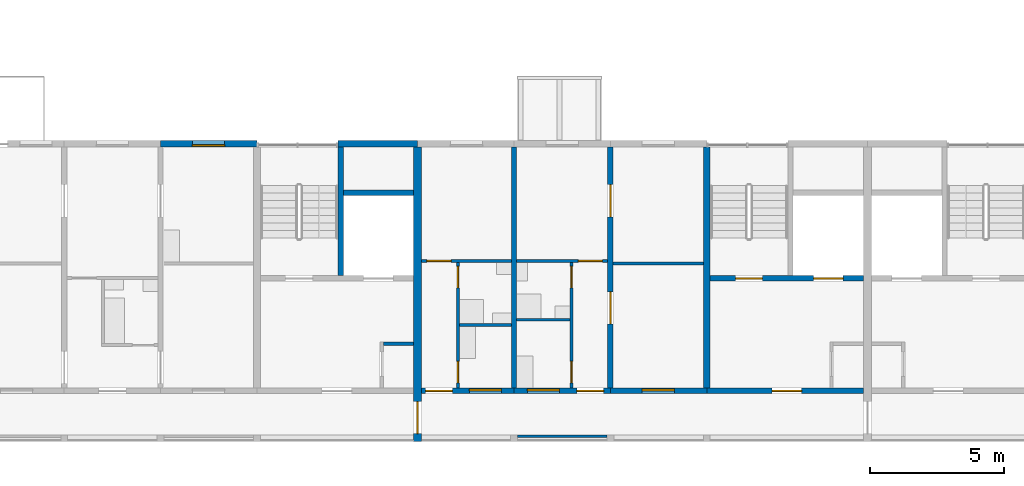
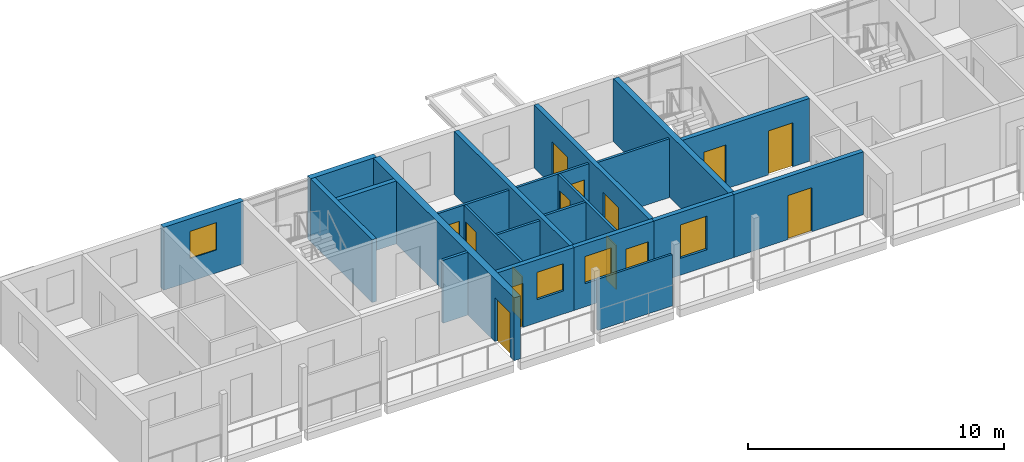
# One storey, part 34 of 94: 22 walls, 14 doors, 4 windows, 18 openings.
"""IFC4 building model written with IfcOpenShell, lengths in metres."""

from ifc_helpers import new_model, si_unit, direction, frame, frame_2d, origin, place, context, subcontext, project, spatial, rectangle, extrude, material, layer, layer_set, type_object, element, fill, save


model = new_model("IFC4")

# Units and contexts
model_context = context("Model", 3, precision=1e-05, world=origin(), true_north=direction((0.0, 1.0)))
body_context = subcontext(model_context, "Body", "Model", "MODEL_VIEW")
ifc_project = project(units=[si_unit("LENGTHUNIT", "METRE"), si_unit("AREAUNIT", "SQUARE_METRE"), si_unit("VOLUMEUNIT", "CUBIC_METRE"), si_unit("PLANEANGLEUNIT", "RADIAN"), si_unit("MASSUNIT", "GRAM", prefix="KILO")], contexts=[model_context])

# Site, building, storey
site_placement = place(None, origin())
site = spatial("IfcSite", under=ifc_project, at=site_placement, CompositionType="ELEMENT")
building_placement = place(site_placement, origin())
building = spatial("IfcBuilding", under=site, at=building_placement, Name="Ridgestep Commons", CompositionType="ELEMENT")
storey_placement = place(building_placement, frame((0.0, 0.0, 24.0)))
storey = spatial("IfcBuildingStorey", under=building, at=storey_placement, Name="L08", CompositionType="ELEMENT", Elevation=24.0)

# Wall
ifc_material_1 = material(Name="Concrete C30/37", Category="concrete")
ifc_layer_1 = layer(ifc_material_1, 0.25)
ifc_layer_set_1 = layer_set([ifc_layer_1], Name="Core cross wall 250")
wall_type_1 = type_object("IfcWallType", Name="Core cross wall 250", PredefinedType="SHEAR", material=ifc_layer_set_1)
wall_1_placement = place(storey_placement, frame((39.60009765625, 13.75, 0.0), z_axis=(0.0, 0.0, 1.0), x_axis=(0.0, 1.0, 0.0)))
element("IfcWall", 1, at=wall_1_placement, inside=storey, type_object=wall_type_1, Name="Cross wall A-08-0396", PredefinedType="SHEAR", context=body_context, shape_type="SweptSolid", body=[
    extrude(rectangle(XDim=9.0, YDim=0.25, at=frame_2d((4.5, 0.0))), origin(), (0.0, 0.0, 1.0), 3.0),
])

# Wall, opening, door
ifc_material_2 = material(Name="Concrete C30/37", Category="concrete")
ifc_layer_2 = layer(ifc_material_2, 0.199951171875)
ifc_layer_set_2 = layer_set([ifc_layer_2], Name="Core south wall 200")
wall_type_2 = type_object("IfcWallType", Name="Core south wall 200", PredefinedType="SHEAR", material=ifc_layer_set_2)
wall_2_placement = place(storey_placement, frame((39.60009765625, 13.64990234375, 0.0), z_axis=(0.0, 0.0, 1.0), x_axis=(1.0, 0.0, 0.0)))
wall_2 = element("IfcWall", 2, at=wall_2_placement, inside=storey, type_object=wall_type_2, Name="Core south wall A2C L08", PredefinedType="SHEAR", context=body_context, shape_type="SweptSolid", body=[
    extrude(rectangle(XDim=5.849853515625, YDim=0.199951171875, at=frame_2d((2.9248046875, 0.0))), origin(), (0.0, 0.0, 1.0), 3.0),
])
opening_1_placement = place(wall_2_placement, frame((2.4375, 0.0, 0.0)))
opening_1 = element("IfcOpeningElement", 3, at=opening_1_placement, cuts=wall_2, Name="Opening A2C/08/1", PredefinedType="OPENING", context=body_context, shape_type="SweptSolid", body=[
    extrude(rectangle(XDim=1.10009765625, YDim=2.10009765625, at=frame_2d((0.550048828125, 1.050048828125))), frame((0.0, 0.10986328125, 0.0), z_axis=(0.0, -1.0, 0.0), x_axis=(1.0, 0.0, 0.0)), (0.0, 0.0, 1.0), 0.219970703125),
])
ifc_material_3 = material(Name="Steel fire door", Category="steel")
door_type_1 = type_object("IfcDoorType", Name="Lobby door 1100 x 2100 FD60", OperationType="NOTDEFINED", PredefinedType="DOOR", material=ifc_material_3)
door_1_placement = place(opening_1_placement, origin())
door_1 = element("IfcDoor", 4, at=door_1_placement, inside=storey, type_object=door_type_1, Name="Lobby door A2C/08/1", OperationType="SINGLE_SWING_LEFT", OverallHeight=2.10009765625, OverallWidth=1.10009765625, PredefinedType="DOOR", context=body_context, shape_type="SweptSolid", body=[
    extrude(rectangle(XDim=1.10009765625, YDim=2.10009765625, at=frame_2d((0.550048828125, 1.050048828125))), frame((0.0, 0.02490234375, 0.0), z_axis=(0.0, -1.0, 0.0), x_axis=(1.0, 0.0, 0.0)), (0.0, 0.0, 1.0), 0.050048828125),
])
fill(opening_1, door_1)

# Walls
ifc_material_4 = material(Name="Concrete C30/37", Category="concrete")
ifc_layer_3 = layer(ifc_material_4, 0.1201171875)
ifc_layer_set_3 = layer_set([ifc_layer_3], Name="Core wall 120")
wall_type_3 = type_object("IfcWallType", Name="Core wall 120", PredefinedType="SHEAR", material=ifc_layer_set_3)
wall_3_placement = place(storey_placement, frame((27.52001953125, 15.409912109375, 0.0), z_axis=(0.0, 0.0, 1.0), x_axis=(1.0, 0.0, 0.0)))
element("IfcWall", 5, at=wall_3_placement, inside=storey, type_object=wall_type_3, Name="Core riser n wall A1C L08", PredefinedType="SHEAR", context=body_context, shape_type="SweptSolid", body=[
    extrude(rectangle(XDim=1.1298828125, YDim=0.1201171875, at=frame_2d((0.56494140625, 0.0))), origin(), (0.0, 0.0, 1.0), 3.0),
])
ifc_material_5 = material(Name="Concrete C30/37", Category="concrete")
ifc_layer_4 = layer(ifc_material_5, 0.199951171875)
ifc_layer_set_4 = layer_set([ifc_layer_4], Name="Core wall 200")
wall_type_4 = type_object("IfcWallType", Name="Core wall 200", PredefinedType="SHEAR", material=ifc_layer_set_4)
wall_4_placement = place(storey_placement, frame((25.925048828125, 17.949951171875, 0.0), z_axis=(0.0, 0.0, 1.0), x_axis=(0.0, 1.0, 0.0)))
element("IfcWall", 6, at=wall_4_placement, inside=storey, type_object=wall_type_4, Name="Core stair wall A1C L08", PredefinedType="SHEAR", context=body_context, shape_type="SweptSolid", body=[
    extrude(rectangle(XDim=4.800048828125, YDim=0.199951171875, at=frame_2d((2.39990234375, 0.0))), origin(), (0.0, 0.0, 1.0), 3.0),
])
wall_5_placement = place(storey_placement, frame((26.02490234375, 21.050048828125, 0.0), z_axis=(0.0, 0.0, 1.0), x_axis=(1.0, 0.0, 0.0)))
element("IfcWall", 7, at=wall_5_placement, inside=storey, type_object=wall_type_4, Name="Core duct wall A1C L08", PredefinedType="SHEAR", context=body_context, shape_type="SweptSolid", body=[
    extrude(rectangle(XDim=2.625, YDim=0.199951171875, at=frame_2d((1.3125, 0.0))), origin(), (0.0, 0.0, 1.0), 3.0),
])

# Wall, openings, doors
wall_6_placement = place(storey_placement, frame((39.72509765625, 17.85009765625, 0.0), z_axis=(0.0, 0.0, 1.0), x_axis=(1.0, 0.0, 0.0)))
wall_6 = element("IfcWall", 8, at=wall_6_placement, inside=storey, type_object=wall_type_4, Name="Core lobby wall A2C L08", PredefinedType="SHEAR", context=body_context, shape_type="SweptSolid", body=[
    extrude(rectangle(XDim=5.724853515625, YDim=0.199951171875, at=frame_2d((2.8623046875, 0.0))), origin(), (0.0, 0.0, 1.0), 3.0),
])
opening_2_placement = place(wall_6_placement, frame((0.949951171875, 0.0, 0.0)))
opening_2 = element("IfcOpeningElement", 9, at=opening_2_placement, cuts=wall_6, Name="Opening A2C/08/2", PredefinedType="OPENING", context=body_context, shape_type="SweptSolid", body=[
    extrude(rectangle(XDim=1.0, YDim=2.10009765625, at=frame_2d((0.5, 1.050048828125))), frame((0.0, 0.10986328125, 0.0), z_axis=(0.0, -1.0, 0.0), x_axis=(1.0, 0.0, 0.0)), (0.0, 0.0, 1.0), 0.219970703125),
])
opening_3_placement = place(wall_6_placement, frame((3.862548828125, 0.0, 0.0)))
opening_3 = element("IfcOpeningElement", 10, at=opening_3_placement, cuts=wall_6, Name="Opening A2C/08/3", PredefinedType="OPENING", context=body_context, shape_type="SweptSolid", body=[
    extrude(rectangle(XDim=1.10009765625, YDim=2.10009765625, at=frame_2d((0.550048828125, 1.050048828125))), frame((0.0, 0.10986328125, 0.0), z_axis=(0.0, -1.0, 0.0), x_axis=(1.0, 0.0, 0.0)), (0.0, 0.0, 1.0), 0.219970703125),
])
ifc_material_6 = material(Name="Stainless steel", Category="steel")
door_type_2 = type_object("IfcDoorType", Name="Lift landing door 1100 x 2100 FD60", OperationType="DOUBLE_DOOR_SLIDING", PredefinedType="DOOR", material=ifc_material_6)
door_2_placement = place(opening_3_placement, origin())
door_2 = element("IfcDoor", 11, at=door_2_placement, inside=storey, type_object=door_type_2, Name="Landing door LD A2C L08", OperationType="DOUBLE_DOOR_SLIDING", OverallHeight=2.10009765625, OverallWidth=1.10009765625, PredefinedType="DOOR", context=body_context, shape_type="SweptSolid", body=[
    extrude(rectangle(XDim=1.10009765625, YDim=2.10009765625, at=frame_2d((0.550048828125, 1.050048828125))), frame((0.0, 0.02490234375, 0.0), z_axis=(0.0, -1.0, 0.0), x_axis=(1.0, 0.0, 0.0)), (0.0, 0.0, 1.0), 0.050048828125),
])
fill(opening_3, door_2)
ifc_material_7 = material(Name="Steel fire door", Category="steel")
door_type_3 = type_object("IfcDoorType", Name="Stair door 1000 x 2100 FD60", OperationType="NOTDEFINED", PredefinedType="DOOR", material=ifc_material_7)
door_3_placement = place(opening_2_placement, origin())
door_3 = element("IfcDoor", 12, at=door_3_placement, inside=storey, type_object=door_type_3, Name="Stair door A2C/08/2", OperationType="SINGLE_SWING_RIGHT", OverallHeight=2.10009765625, OverallWidth=1.0, PredefinedType="DOOR", context=body_context, shape_type="SweptSolid", body=[
    extrude(rectangle(XDim=1.0, YDim=2.10009765625, at=frame_2d((0.5, 1.050048828125))), frame((0.0, 0.02490234375, 0.0), z_axis=(0.0, -1.0, 0.0), x_axis=(1.0, 0.0, 0.0)), (0.0, 0.0, 1.0), 0.050048828125),
])
fill(opening_2, door_3)

# Wall
ifc_material_8 = material(Name="Precast concrete C40/50", Category="concrete")
ifc_layer_5 = layer(ifc_material_8, 0.199951171875)
ifc_layer_set_5 = layer_set([ifc_layer_5], Name="Cross wall 200")
wall_type_5 = type_object("IfcWallType", Name="Cross wall 200", PredefinedType="SHEAR", material=ifc_layer_set_5)
wall_7_placement = place(storey_placement, frame((32.39990234375, 13.75, 0.0), z_axis=(0.0, 0.0, 1.0), x_axis=(0.0, 1.0, 0.0)))
element("IfcWall", 13, at=wall_7_placement, inside=storey, type_object=wall_type_5, Name="Cross wall A-08-0324", PredefinedType="SHEAR", context=body_context, shape_type="SweptSolid", body=[
    extrude(rectangle(XDim=9.0, YDim=0.199951171875, at=frame_2d((4.5, 0.0))), origin(), (0.0, 0.0, 1.0), 3.0),
])

# Wall, openings, doors
wall_8_placement = place(storey_placement, frame((36.0, 13.75, 0.0), z_axis=(0.0, 0.0, 1.0), x_axis=(0.0, 1.0, 0.0)))
wall_8 = element("IfcWall", 14, at=wall_8_placement, inside=storey, type_object=wall_type_5, Name="Cross wall A-08-0360", PredefinedType="SHEAR", context=body_context, shape_type="SweptSolid", body=[
    extrude(rectangle(XDim=9.0, YDim=0.199951171875, at=frame_2d((4.5, 0.0))), origin(), (0.0, 0.0, 1.0), 3.0),
])
opening_4_placement = place(wall_8_placement, frame((2.39990234375, 0.0, 0.0)))
opening_4 = element("IfcOpeningElement", 15, at=opening_4_placement, cuts=wall_8, Name="Opening A2-08b/5", PredefinedType="OPENING", context=body_context, shape_type="SweptSolid", body=[
    extrude(rectangle(XDim=1.199951171875, YDim=2.10009765625, at=frame_2d((0.60009765625, 1.050048828125))), frame((0.0, 0.10986328125, 0.0), z_axis=(0.0, -1.0, 0.0), x_axis=(1.0, 0.0, 0.0)), (0.0, 0.0, 1.0), 0.219970703125),
])
opening_5_placement = place(wall_8_placement, frame((6.39990234375, 0.0, 0.0)))
opening_5 = element("IfcOpeningElement", 16, at=opening_5_placement, cuts=wall_8, Name="Opening A2-08b/6", PredefinedType="OPENING", context=body_context, shape_type="SweptSolid", body=[
    extrude(rectangle(XDim=1.199951171875, YDim=2.10009765625, at=frame_2d((0.60009765625, 1.050048828125))), frame((0.0, 0.10986328125, 0.0), z_axis=(0.0, -1.0, 0.0), x_axis=(1.0, 0.0, 0.0)), (0.0, 0.0, 1.0), 0.219970703125),
])
ifc_material_9 = material(Name="Timber door leaf", Category="wood")
door_type_4 = type_object("IfcDoorType", Name="Double door 1200 x 2100", OperationType="DOUBLE_DOOR_SINGLE_SWING", PredefinedType="DOOR", material=ifc_material_9)
door_4_placement = place(opening_4_placement, origin())
door_4 = element("IfcDoor", 17, at=door_4_placement, inside=storey, type_object=door_type_4, Name="Double door A2-08b/5", OperationType="DOUBLE_DOOR_SINGLE_SWING", OverallHeight=2.10009765625, OverallWidth=1.199951171875, PredefinedType="DOOR", context=body_context, shape_type="SweptSolid", body=[
    extrude(rectangle(XDim=1.199951171875, YDim=2.10009765625, at=frame_2d((0.60009765625, 1.050048828125))), frame((0.0, 0.02490234375, 0.0), z_axis=(0.0, -1.0, 0.0), x_axis=(1.0, 0.0, 0.0)), (0.0, 0.0, 1.0), 0.050048828125),
])
fill(opening_4, door_4)
door_5_placement = place(opening_5_placement, origin())
door_5 = element("IfcDoor", 18, at=door_5_placement, inside=storey, type_object=door_type_4, Name="Double door A2-08b/6", OperationType="DOUBLE_DOOR_SINGLE_SWING", OverallHeight=2.10009765625, OverallWidth=1.199951171875, PredefinedType="DOOR", context=body_context, shape_type="SweptSolid", body=[
    extrude(rectangle(XDim=1.199951171875, YDim=2.10009765625, at=frame_2d((0.60009765625, 1.050048828125))), frame((0.0, 0.02490234375, 0.0), z_axis=(0.0, -1.0, 0.0), x_axis=(1.0, 0.0, 0.0)), (0.0, 0.0, 1.0), 0.050048828125),
])
fill(opening_5, door_5)

# Wall, opening, door
ifc_material_10 = material(Name="Precast concrete C40/50", Category="concrete")
ifc_layer_6 = layer(ifc_material_10, 0.300048828125)
ifc_layer_set_6 = layer_set([ifc_layer_6], Name="Division wall 300")
wall_type_6 = type_object("IfcWallType", Name="Division wall 300", PredefinedType="SHEAR", material=ifc_layer_set_6)
wall_9_placement = place(storey_placement, frame((28.800048828125, 11.75, 0.0), z_axis=(0.0, 0.0, 1.0), x_axis=(0.0, 1.0, 0.0)))
wall_9 = element("IfcWall", 19, at=wall_9_placement, inside=storey, type_object=wall_type_6, Name="Cross wall A-08-0288", PredefinedType="SHEAR", context=body_context, shape_type="SweptSolid", body=[
    extrude(rectangle(XDim=11.0, YDim=0.300048828125, at=frame_2d((5.5, 0.0))), origin(), (0.0, 0.0, 1.0), 3.0),
])
opening_6_placement = place(wall_9_placement, frame((0.300048828125, 0.0, 0.0)))
opening_6 = element("IfcOpeningElement", 20, at=opening_6_placement, cuts=wall_9, Name="Opening A/08/G0288", PredefinedType="OPENING", context=body_context, shape_type="SweptSolid", body=[
    extrude(rectangle(XDim=1.199951171875, YDim=2.10009765625, at=frame_2d((0.60009765625, 1.050048828125))), frame((0.0, 0.159912109375, 0.0), z_axis=(0.0, -1.0, 0.0), x_axis=(1.0, 0.0, 0.0)), (0.0, 0.0, 1.0), 0.320068359375),
])
ifc_material_11 = material(Name="Steel fire door", Category="steel")
door_type_5 = type_object("IfcDoorType", Name="Division fire door 1200 x 2100 EI 240", OperationType="DOUBLE_DOOR_SINGLE_SWING", PredefinedType="DOOR", material=ifc_material_11)
door_6_placement = place(opening_6_placement, origin())
door_6 = element("IfcDoor", 21, at=door_6_placement, inside=storey, type_object=door_type_5, Name="Division fire door A/08/G0288", OperationType="DOUBLE_DOOR_SINGLE_SWING", OverallHeight=2.10009765625, OverallWidth=1.199951171875, PredefinedType="DOOR", context=body_context, shape_type="SweptSolid", body=[
    extrude(rectangle(XDim=1.199951171875, YDim=2.10009765625, at=frame_2d((0.60009765625, 1.050048828125))), frame((0.0, 0.02490234375, 0.0), z_axis=(0.0, -1.0, 0.0), x_axis=(1.0, 0.0, 0.0)), (0.0, 0.0, 1.0), 0.050048828125),
])
fill(opening_6, door_6)

# Wall, opening, window
ifc_material_12 = material(Name="Precast concrete C40/50", Category="concrete")
ifc_layer_7 = layer(ifc_material_12, 0.25)
ifc_layer_set_7 = layer_set([ifc_layer_7], Name="North facade panel 250")
wall_type_7 = type_object("IfcWallType", Name="North facade panel 250", PredefinedType="SOLIDWALL", material=ifc_layer_set_7)
wall_10_placement = place(storey_placement, frame((19.199951171875, 22.875, 0.0), z_axis=(0.0, 0.0, 1.0), x_axis=(1.0, 0.0, 0.0)))
wall_10 = element("IfcWall", 22, at=wall_10_placement, inside=storey, type_object=wall_type_7, Name="North panel A1T3 L08", PredefinedType="SOLIDWALL", context=body_context, shape_type="SweptSolid", body=[
    extrude(rectangle(XDim=3.60009765625, YDim=0.25, at=frame_2d((1.800048828125, 0.0))), origin(), (0.0, 0.0, 1.0), 3.0),
])
opening_7_placement = place(wall_10_placement, frame((1.1875, 0.0, 1.10009765625)))
opening_7 = element("IfcOpeningElement", 23, at=opening_7_placement, cuts=wall_10, Name="Opening W08", PredefinedType="OPENING", context=body_context, shape_type="SweptSolid", body=[
    extrude(rectangle(XDim=1.199951171875, YDim=1.300048828125, at=frame_2d((0.60009765625, 0.64990234375))), frame((0.0, 0.135009765625, 0.0), z_axis=(0.0, -1.0, 0.0), x_axis=(1.0, 0.0, 0.0)), (0.0, 0.0, 1.0), 0.27001953125),
])
ifc_material_13 = material(Name="Aluminium 6063-T6 and glass", Category="aluminium")
window_type_1 = type_object("IfcWindowType", Name="Flat window 1200 x 1300", PartitioningType="SINGLE_PANEL", PredefinedType="WINDOW", material=ifc_material_13)
window_1_placement = place(opening_7_placement, origin())
window_1 = element("IfcWindow", 24, at=window_1_placement, inside=storey, type_object=window_type_1, Name="Window A1-08a 4", OverallHeight=1.300048828125, OverallWidth=1.199951171875, PartitioningType="SINGLE_PANEL", PredefinedType="WINDOW", context=body_context, shape_type="SweptSolid", body=[
    extrude(rectangle(XDim=1.199951171875, YDim=1.300048828125, at=frame_2d((0.60009765625, 0.64990234375))), frame((0.0, -0.02490234375, 0.0), z_axis=(0.0, -1.0, 0.0), x_axis=(1.0, 0.0, 0.0)), (0.0, 0.0, 1.0), 0.06005859375),
])
fill(opening_7, window_1)

# Wall
wall_11_placement = place(storey_placement, frame((25.824951171875, 22.875, 0.0), z_axis=(0.0, 0.0, 1.0), x_axis=(1.0, 0.0, 0.0)))
element("IfcWall", 25, at=wall_11_placement, inside=storey, type_object=wall_type_7, Name="North panel A1C L08", PredefinedType="SOLIDWALL", context=body_context, shape_type="SweptSolid", body=[
    extrude(rectangle(XDim=2.97509765625, YDim=0.25, at=frame_2d((1.487548828125, 0.0))), origin(), (0.0, 0.0, 1.0), 3.0),
])

# Wall, openings, doors
ifc_material_14 = material(Name="Common brick 110 mm", Category="masonry")
ifc_layer_8 = layer(ifc_material_14, 0.110107421875)
ifc_layer_set_8 = layer_set([ifc_layer_8], Name="Partition 110")
wall_type_8 = type_object("IfcWallType", Name="Partition 110", PredefinedType="PARTITIONING", material=ifc_layer_set_8)
wall_12_placement = place(storey_placement, frame((30.304931640625, 13.75, 0.0), z_axis=(0.0, 0.0, 1.0), x_axis=(0.0, 1.0, 0.0)))
wall_12 = element("IfcWall", 26, at=wall_12_placement, inside=storey, type_object=wall_type_8, Name="Partition A2-08a", PredefinedType="PARTITIONING", context=body_context, shape_type="SweptSolid", body=[
    extrude(rectangle(XDim=4.699951171875, YDim=0.110107421875, at=frame_2d((2.35009765625, 0.0))), origin(), (0.0, 0.0, 1.0), 2.800048828125),
])
opening_8_placement = place(wall_12_placement, frame((0.199951171875, 0.0, 0.0)))
opening_8 = element("IfcOpeningElement", 27, at=opening_8_placement, cuts=wall_12, Name="Opening A2-08a/2", PredefinedType="OPENING", context=body_context, shape_type="SweptSolid", body=[
    extrude(rectangle(XDim=0.800048828125, YDim=2.10009765625, at=frame_2d((0.39990234375, 1.050048828125))), frame((0.0, 0.06494140625, 0.0), z_axis=(0.0, -1.0, 0.0), x_axis=(1.0, 0.0, 0.0)), (0.0, 0.0, 1.0), 0.130126953125),
])
opening_9_placement = place(wall_12_placement, frame((3.75, 0.0, 0.0)))
opening_9 = element("IfcOpeningElement", 28, at=opening_9_placement, cuts=wall_12, Name="Opening A2-08a/3", PredefinedType="OPENING", context=body_context, shape_type="SweptSolid", body=[
    extrude(rectangle(XDim=0.800048828125, YDim=2.10009765625, at=frame_2d((0.39990234375, 1.050048828125))), frame((0.0, 0.06494140625, 0.0), z_axis=(0.0, -1.0, 0.0), x_axis=(1.0, 0.0, 0.0)), (0.0, 0.0, 1.0), 0.130126953125),
])
ifc_material_15 = material(Name="Timber door leaf", Category="wood")
door_type_6 = type_object("IfcDoorType", Name="Internal door 800 x 2100", OperationType="NOTDEFINED", PredefinedType="DOOR", material=ifc_material_15)
door_7_placement = place(opening_8_placement, origin())
door_7 = element("IfcDoor", 29, at=door_7_placement, inside=storey, type_object=door_type_6, Name="Internal door A2-08a/2", OperationType="SINGLE_SWING_RIGHT", OverallHeight=2.10009765625, OverallWidth=0.800048828125, PredefinedType="DOOR", context=body_context, shape_type="SweptSolid", body=[
    extrude(rectangle(XDim=0.800048828125, YDim=2.10009765625, at=frame_2d((0.39990234375, 1.050048828125))), frame((0.0, 0.02490234375, 0.0), z_axis=(0.0, -1.0, 0.0), x_axis=(1.0, 0.0, 0.0)), (0.0, 0.0, 1.0), 0.050048828125),
])
fill(opening_8, door_7)
door_8_placement = place(opening_9_placement, origin())
door_8 = element("IfcDoor", 30, at=door_8_placement, inside=storey, type_object=door_type_6, Name="Internal door A2-08a/3", OperationType="SINGLE_SWING_LEFT", OverallHeight=2.10009765625, OverallWidth=0.800048828125, PredefinedType="DOOR", context=body_context, shape_type="SweptSolid", body=[
    extrude(rectangle(XDim=0.800048828125, YDim=2.10009765625, at=frame_2d((0.39990234375, 1.050048828125))), frame((0.0, 0.02490234375, 0.0), z_axis=(0.0, -1.0, 0.0), x_axis=(1.0, 0.0, 0.0)), (0.0, 0.0, 1.0), 0.050048828125),
])
fill(opening_9, door_8)

# Wall
wall_13_placement = place(storey_placement, frame((30.360107421875, 16.10498046875, 0.0), z_axis=(0.0, 0.0, 1.0), x_axis=(1.0, 0.0, 0.0)))
element("IfcWall", 31, at=wall_13_placement, inside=storey, type_object=wall_type_8, Name="Partition A2-08a", PredefinedType="PARTITIONING", context=body_context, shape_type="SweptSolid", body=[
    extrude(rectangle(XDim=1.93994140625, YDim=0.110107421875, at=frame_2d((0.969970703125, 0.0))), origin(), (0.0, 0.0, 1.0), 2.800048828125),
])

# Wall, opening, door
wall_14_placement = place(storey_placement, frame((28.949951171875, 18.5048828125, 0.0), z_axis=(0.0, 0.0, 1.0), x_axis=(1.0, 0.0, 0.0)))
wall_14 = element("IfcWall", 32, at=wall_14_placement, inside=storey, type_object=wall_type_8, Name="Partition A2-08a", PredefinedType="PARTITIONING", context=body_context, shape_type="SweptSolid", body=[
    extrude(rectangle(XDim=3.35009765625, YDim=0.110107421875, at=frame_2d((1.675048828125, 0.0))), origin(), (0.0, 0.0, 1.0), 2.800048828125),
])
opening_10_placement = place(wall_14_placement, frame((0.199951171875, 0.0, 0.0)))
opening_10 = element("IfcOpeningElement", 33, at=opening_10_placement, cuts=wall_14, Name="Opening A2-08a/4", PredefinedType="OPENING", context=body_context, shape_type="SweptSolid", body=[
    extrude(rectangle(XDim=0.89990234375, YDim=2.10009765625, at=frame_2d((0.449951171875, 1.050048828125))), frame((0.0, 0.06494140625, 0.0), z_axis=(0.0, -1.0, 0.0), x_axis=(1.0, 0.0, 0.0)), (0.0, 0.0, 1.0), 0.130126953125),
])
ifc_material_16 = material(Name="Timber door leaf", Category="wood")
door_type_7 = type_object("IfcDoorType", Name="Internal door 900 x 2100", OperationType="NOTDEFINED", PredefinedType="DOOR", material=ifc_material_16)
door_9_placement = place(opening_10_placement, origin())
door_9 = element("IfcDoor", 34, at=door_9_placement, inside=storey, type_object=door_type_7, Name="Internal door A2-08a/4", OperationType="SINGLE_SWING_RIGHT", OverallHeight=2.10009765625, OverallWidth=0.89990234375, PredefinedType="DOOR", context=body_context, shape_type="SweptSolid", body=[
    extrude(rectangle(XDim=0.89990234375, YDim=2.10009765625, at=frame_2d((0.449951171875, 1.050048828125))), frame((0.0, 0.02490234375, 0.0), z_axis=(0.0, -1.0, 0.0), x_axis=(1.0, 0.0, 0.0)), (0.0, 0.0, 1.0), 0.050048828125),
])
fill(opening_10, door_9)

# Wall
wall_15_placement = place(storey_placement, frame((32.5, 16.304931640625, 0.0), z_axis=(0.0, 0.0, 1.0), x_axis=(1.0, 0.0, 0.0)))
element("IfcWall", 35, at=wall_15_placement, inside=storey, type_object=wall_type_8, Name="Partition A2-08b", PredefinedType="PARTITIONING", context=body_context, shape_type="SweptSolid", body=[
    extrude(rectangle(XDim=1.989990234375, YDim=0.110107421875, at=frame_2d((0.9951171875, 0.0))), origin(), (0.0, 0.0, 1.0), 2.800048828125),
])

# Wall, openings, doors
wall_16_placement = place(storey_placement, frame((34.544921875, 13.75, 0.0), z_axis=(0.0, 0.0, 1.0), x_axis=(0.0, 1.0, 0.0)))
wall_16 = element("IfcWall", 36, at=wall_16_placement, inside=storey, type_object=wall_type_8, Name="Partition A2-08b", PredefinedType="PARTITIONING", context=body_context, shape_type="SweptSolid", body=[
    extrude(rectangle(XDim=4.699951171875, YDim=0.110107421875, at=frame_2d((2.35009765625, 0.0))), origin(), (0.0, 0.0, 1.0), 2.800048828125),
])
opening_11_placement = place(wall_16_placement, frame((0.199951171875, 0.0, 0.0)))
opening_11 = element("IfcOpeningElement", 37, at=opening_11_placement, cuts=wall_16, Name="Opening A2-08b/2", PredefinedType="OPENING", context=body_context, shape_type="SweptSolid", body=[
    extrude(rectangle(XDim=0.800048828125, YDim=2.10009765625, at=frame_2d((0.39990234375, 1.050048828125))), frame((0.0, 0.06494140625, 0.0), z_axis=(0.0, -1.0, 0.0), x_axis=(1.0, 0.0, 0.0)), (0.0, 0.0, 1.0), 0.130126953125),
])
opening_12_placement = place(wall_16_placement, frame((3.75, 0.0, 0.0)))
opening_12 = element("IfcOpeningElement", 38, at=opening_12_placement, cuts=wall_16, Name="Opening A2-08b/3", PredefinedType="OPENING", context=body_context, shape_type="SweptSolid", body=[
    extrude(rectangle(XDim=0.800048828125, YDim=2.10009765625, at=frame_2d((0.39990234375, 1.050048828125))), frame((0.0, 0.06494140625, 0.0), z_axis=(0.0, -1.0, 0.0), x_axis=(1.0, 0.0, 0.0)), (0.0, 0.0, 1.0), 0.130126953125),
])
door_10_placement = place(opening_11_placement, origin())
door_10 = element("IfcDoor", 39, at=door_10_placement, inside=storey, type_object=door_type_6, Name="Internal door A2-08b/2", OperationType="SINGLE_SWING_LEFT", OverallHeight=2.10009765625, OverallWidth=0.800048828125, PredefinedType="DOOR", context=body_context, shape_type="SweptSolid", body=[
    extrude(rectangle(XDim=0.800048828125, YDim=2.10009765625, at=frame_2d((0.39990234375, 1.050048828125))), frame((0.0, 0.02490234375, 0.0), z_axis=(0.0, -1.0, 0.0), x_axis=(1.0, 0.0, 0.0)), (0.0, 0.0, 1.0), 0.050048828125),
])
fill(opening_11, door_10)
door_11_placement = place(opening_12_placement, origin())
door_11 = element("IfcDoor", 40, at=door_11_placement, inside=storey, type_object=door_type_6, Name="Internal door A2-08b/3", OperationType="SINGLE_SWING_RIGHT", OverallHeight=2.10009765625, OverallWidth=0.800048828125, PredefinedType="DOOR", context=body_context, shape_type="SweptSolid", body=[
    extrude(rectangle(XDim=0.800048828125, YDim=2.10009765625, at=frame_2d((0.39990234375, 1.050048828125))), frame((0.0, 0.02490234375, 0.0), z_axis=(0.0, -1.0, 0.0), x_axis=(1.0, 0.0, 0.0)), (0.0, 0.0, 1.0), 0.050048828125),
])
fill(opening_12, door_11)

# Wall, opening, door
wall_17_placement = place(storey_placement, frame((32.5, 18.5048828125, 0.0), z_axis=(0.0, 0.0, 1.0), x_axis=(1.0, 0.0, 0.0)))
wall_17 = element("IfcWall", 41, at=wall_17_placement, inside=storey, type_object=wall_type_8, Name="Partition A2-08b", PredefinedType="PARTITIONING", context=body_context, shape_type="SweptSolid", body=[
    extrude(rectangle(XDim=3.39990234375, YDim=0.110107421875, at=frame_2d((1.699951171875, 0.0))), origin(), (0.0, 0.0, 1.0), 2.800048828125),
])
opening_13_placement = place(wall_17_placement, frame((2.300048828125, 0.0, 0.0)))
opening_13 = element("IfcOpeningElement", 42, at=opening_13_placement, cuts=wall_17, Name="Opening A2-08b/4", PredefinedType="OPENING", context=body_context, shape_type="SweptSolid", body=[
    extrude(rectangle(XDim=0.89990234375, YDim=2.10009765625, at=frame_2d((0.449951171875, 1.050048828125))), frame((0.0, 0.06494140625, 0.0), z_axis=(0.0, -1.0, 0.0), x_axis=(1.0, 0.0, 0.0)), (0.0, 0.0, 1.0), 0.130126953125),
])
door_12_placement = place(opening_13_placement, origin())
door_12 = element("IfcDoor", 43, at=door_12_placement, inside=storey, type_object=door_type_7, Name="Internal door A2-08b/4", OperationType="SINGLE_SWING_LEFT", OverallHeight=2.10009765625, OverallWidth=0.89990234375, PredefinedType="DOOR", context=body_context, shape_type="SweptSolid", body=[
    extrude(rectangle(XDim=0.89990234375, YDim=2.10009765625, at=frame_2d((0.449951171875, 1.050048828125))), frame((0.0, 0.02490234375, 0.0), z_axis=(0.0, -1.0, 0.0), x_axis=(1.0, 0.0, 0.0)), (0.0, 0.0, 1.0), 0.050048828125),
])
fill(opening_13, door_12)

# Walls
wall_18_placement = place(storey_placement, frame((36.10009765625, 18.405029296875, 0.0), z_axis=(0.0, 0.0, 1.0), x_axis=(1.0, 0.0, 0.0)))
element("IfcWall", 44, at=wall_18_placement, inside=storey, type_object=wall_type_8, Name="Partition A2-08b", PredefinedType="PARTITIONING", context=body_context, shape_type="SweptSolid", body=[
    extrude(rectangle(XDim=3.375, YDim=0.110107421875, at=frame_2d((1.6875, 0.0))), origin(), (0.0, 0.0, 1.0), 2.800048828125),
])
ifc_material_17 = material(Name="Precast concrete C30/37", Category="concrete")
ifc_layer_9 = layer(ifc_material_17, 0.10009765625)
ifc_layer_set_9 = layer_set([ifc_layer_9], Name="Perforated gallery screen 3350 x 2450 x 100")
wall_type_9 = type_object("IfcWallType", Name="Perforated gallery screen 3350 x 2450 x 100", PredefinedType="SOLIDWALL", material=ifc_layer_set_9)
wall_19_placement = place(storey_placement, frame((32.52490234375, 11.949951171875, 0.0), z_axis=(0.0, 0.0, 1.0), x_axis=(1.0, 0.0, 0.0)))
element("IfcWall", 45, at=wall_19_placement, inside=storey, type_object=wall_type_9, Name="Gallery screen A2T2 08", PredefinedType="SOLIDWALL", context=body_context, shape_type="SweptSolid", body=[
    extrude(rectangle(XDim=3.35009765625, YDim=0.10009765625, at=frame_2d((1.675048828125, 0.0))), origin(), (0.0, 0.0, 1.0), 2.449951171875),
])

# Wall, openings, door, window
ifc_material_18 = material(Name="Precast concrete C40/50", Category="concrete")
ifc_layer_10 = layer(ifc_material_18, 0.199951171875)
ifc_layer_set_10 = layer_set([ifc_layer_10], Name="South facade panel 200")
wall_type_10 = type_object("IfcWallType", Name="South facade panel 200", PredefinedType="SOLIDWALL", material=ifc_layer_set_10)
wall_20_placement = place(storey_placement, frame((28.949951171875, 13.64990234375, 0.0), z_axis=(0.0, 0.0, 1.0), x_axis=(1.0, 0.0, 0.0)))
wall_20 = element("IfcWall", 46, at=wall_20_placement, inside=storey, type_object=wall_type_10, Name="South panel A2T1 L08", PredefinedType="SOLIDWALL", context=body_context, shape_type="SweptSolid", body=[
    extrude(rectangle(XDim=3.449951171875, YDim=0.199951171875, at=frame_2d((1.72509765625, 0.0))), origin(), (0.0, 0.0, 1.0), 3.0),
])
opening_14_placement = place(wall_20_placement, frame((1.780029296875, 0.0, 1.10009765625)))
opening_14 = element("IfcOpeningElement", 47, at=opening_14_placement, cuts=wall_20, Name="Opening W08", PredefinedType="OPENING", context=body_context, shape_type="SweptSolid", body=[
    extrude(rectangle(XDim=1.199951171875, YDim=1.300048828125, at=frame_2d((0.60009765625, 0.64990234375))), frame((0.0, 0.10986328125, 0.0), z_axis=(0.0, -1.0, 0.0), x_axis=(1.0, 0.0, 0.0)), (0.0, 0.0, 1.0), 0.219970703125),
])
opening_15_placement = place(wall_20_placement, frame((0.14990234375, 0.0, 0.0)))
opening_15 = element("IfcOpeningElement", 48, at=opening_15_placement, cuts=wall_20, Name="Opening A2-08a/1", PredefinedType="OPENING", context=body_context, shape_type="SweptSolid", body=[
    extrude(rectangle(XDim=1.0, YDim=2.10009765625, at=frame_2d((0.5, 1.050048828125))), frame((0.0, 0.10986328125, 0.0), z_axis=(0.0, -1.0, 0.0), x_axis=(1.0, 0.0, 0.0)), (0.0, 0.0, 1.0), 0.219970703125),
])
ifc_material_19 = material(Name="Timber door leaf", Category="wood")
door_type_8 = type_object("IfcDoorType", Name="Flat entrance door 1000 x 2100 FD30S", OperationType="NOTDEFINED", PredefinedType="DOOR", material=ifc_material_19)
door_13_placement = place(opening_15_placement, origin())
door_13 = element("IfcDoor", 49, at=door_13_placement, inside=storey, type_object=door_type_8, Name="Flat entrance door A2-08a/1", OperationType="SINGLE_SWING_LEFT", OverallHeight=2.10009765625, OverallWidth=1.0, PredefinedType="DOOR", context=body_context, shape_type="SweptSolid", body=[
    extrude(rectangle(XDim=1.0, YDim=2.10009765625, at=frame_2d((0.5, 1.050048828125))), frame((0.0, 0.02490234375, 0.0), z_axis=(0.0, -1.0, 0.0), x_axis=(1.0, 0.0, 0.0)), (0.0, 0.0, 1.0), 0.050048828125),
])
fill(opening_15, door_13)
window_2_placement = place(opening_14_placement, origin())
window_2 = element("IfcWindow", 50, at=window_2_placement, inside=storey, type_object=window_type_1, Name="Window A2-08a 1", OverallHeight=1.300048828125, OverallWidth=1.199951171875, PartitioningType="SINGLE_PANEL", PredefinedType="WINDOW", context=body_context, shape_type="SweptSolid", body=[
    extrude(rectangle(XDim=1.199951171875, YDim=1.300048828125, at=frame_2d((0.60009765625, 0.64990234375))), frame((0.0, 0.06005859375, 0.0), z_axis=(0.0, -1.0, 0.0), x_axis=(1.0, 0.0, 0.0)), (0.0, 0.0, 1.0), 0.06005859375),
])
fill(opening_14, window_2)

wall_21_placement = place(storey_placement, frame((32.39990234375, 13.64990234375, 0.0), z_axis=(0.0, 0.0, 1.0), x_axis=(1.0, 0.0, 0.0)))
wall_21 = element("IfcWall", 51, at=wall_21_placement, inside=storey, type_object=wall_type_10, Name="South panel A2T2 L08", PredefinedType="SOLIDWALL", context=body_context, shape_type="SweptSolid", body=[
    extrude(rectangle(XDim=3.60009765625, YDim=0.199951171875, at=frame_2d((1.800048828125, 0.0))), origin(), (0.0, 0.0, 1.0), 3.0),
])
opening_16_placement = place(wall_21_placement, frame((0.4951171875, 0.0, 1.10009765625)))
opening_16 = element("IfcOpeningElement", 52, at=opening_16_placement, cuts=wall_21, Name="Opening W08", PredefinedType="OPENING", context=body_context, shape_type="SweptSolid", body=[
    extrude(rectangle(XDim=1.199951171875, YDim=1.300048828125, at=frame_2d((0.60009765625, 0.64990234375))), frame((0.0, 0.10986328125, 0.0), z_axis=(0.0, -1.0, 0.0), x_axis=(1.0, 0.0, 0.0)), (0.0, 0.0, 1.0), 0.219970703125),
])
opening_17_placement = place(wall_21_placement, frame((2.35009765625, 0.0, 0.0)))
opening_17 = element("IfcOpeningElement", 53, at=opening_17_placement, cuts=wall_21, Name="Opening A2-08b/1", PredefinedType="OPENING", context=body_context, shape_type="SweptSolid", body=[
    extrude(rectangle(XDim=1.0, YDim=2.10009765625, at=frame_2d((0.5, 1.050048828125))), frame((0.0, 0.10986328125, 0.0), z_axis=(0.0, -1.0, 0.0), x_axis=(1.0, 0.0, 0.0)), (0.0, 0.0, 1.0), 0.219970703125),
])
door_14_placement = place(opening_17_placement, origin())
door_14 = element("IfcDoor", 54, at=door_14_placement, inside=storey, type_object=door_type_8, Name="Flat entrance door A2-08b/1", OperationType="SINGLE_SWING_RIGHT", OverallHeight=2.10009765625, OverallWidth=1.0, PredefinedType="DOOR", context=body_context, shape_type="SweptSolid", body=[
    extrude(rectangle(XDim=1.0, YDim=2.10009765625, at=frame_2d((0.5, 1.050048828125))), frame((0.0, 0.02490234375, 0.0), z_axis=(0.0, -1.0, 0.0), x_axis=(1.0, 0.0, 0.0)), (0.0, 0.0, 1.0), 0.050048828125),
])
fill(opening_17, door_14)
window_3_placement = place(opening_16_placement, origin())
window_3 = element("IfcWindow", 55, at=window_3_placement, inside=storey, type_object=window_type_1, Name="Window A2-08b 3", OverallHeight=1.300048828125, OverallWidth=1.199951171875, PartitioningType="SINGLE_PANEL", PredefinedType="WINDOW", context=body_context, shape_type="SweptSolid", body=[
    extrude(rectangle(XDim=1.199951171875, YDim=1.300048828125, at=frame_2d((0.60009765625, 0.64990234375))), frame((0.0, 0.06005859375, 0.0), z_axis=(0.0, -1.0, 0.0), x_axis=(1.0, 0.0, 0.0)), (0.0, 0.0, 1.0), 0.06005859375),
])
fill(opening_16, window_3)

# Wall, opening, window
wall_22_placement = place(storey_placement, frame((36.0, 13.64990234375, 0.0), z_axis=(0.0, 0.0, 1.0), x_axis=(1.0, 0.0, 0.0)))
wall_22 = element("IfcWall", 56, at=wall_22_placement, inside=storey, type_object=wall_type_10, Name="South panel A2T3 L08", PredefinedType="SOLIDWALL", context=body_context, shape_type="SweptSolid", body=[
    extrude(rectangle(XDim=3.60009765625, YDim=0.199951171875, at=frame_2d((1.800048828125, 0.0))), origin(), (0.0, 0.0, 1.0), 3.0),
])
opening_18_placement = place(wall_22_placement, frame((1.1875, 0.0, 0.800048828125)))
opening_18 = element("IfcOpeningElement", 57, at=opening_18_placement, cuts=wall_22, Name="Opening W11", PredefinedType="OPENING", context=body_context, shape_type="SweptSolid", body=[
    extrude(rectangle(XDim=1.199951171875, YDim=1.60009765625, at=frame_2d((0.60009765625, 0.800048828125))), frame((0.0, 0.10986328125, 0.0), z_axis=(0.0, -1.0, 0.0), x_axis=(1.0, 0.0, 0.0)), (0.0, 0.0, 1.0), 0.219970703125),
])
ifc_material_20 = material(Name="Aluminium 6063-T6 and glass", Category="aluminium")
window_type_2 = type_object("IfcWindowType", Name="Flat window 1200 x 1600", PartitioningType="SINGLE_PANEL", PredefinedType="WINDOW", material=ifc_material_20)
window_4_placement = place(opening_18_placement, origin())
window_4 = element("IfcWindow", 58, at=window_4_placement, inside=storey, type_object=window_type_2, Name="Window A2-08b 1", OverallHeight=1.60009765625, OverallWidth=1.199951171875, PartitioningType="SINGLE_PANEL", PredefinedType="WINDOW", context=body_context, shape_type="SweptSolid", body=[
    extrude(rectangle(XDim=1.199951171875, YDim=1.60009765625, at=frame_2d((0.60009765625, 0.800048828125))), frame((0.0, 0.06005859375, 0.0), z_axis=(0.0, -1.0, 0.0), x_axis=(1.0, 0.0, 0.0)), (0.0, 0.0, 1.0), 0.06005859375),
])
fill(opening_18, window_4)

save(model, "model.ifc")
